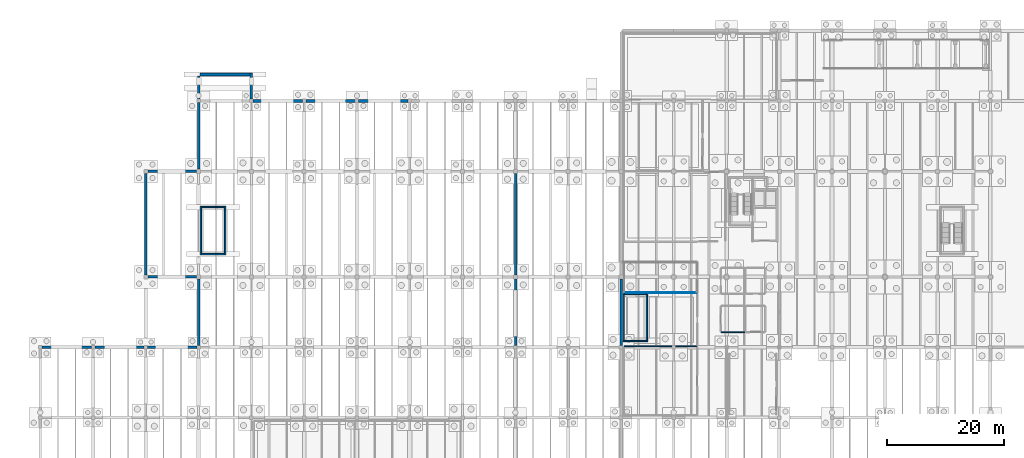
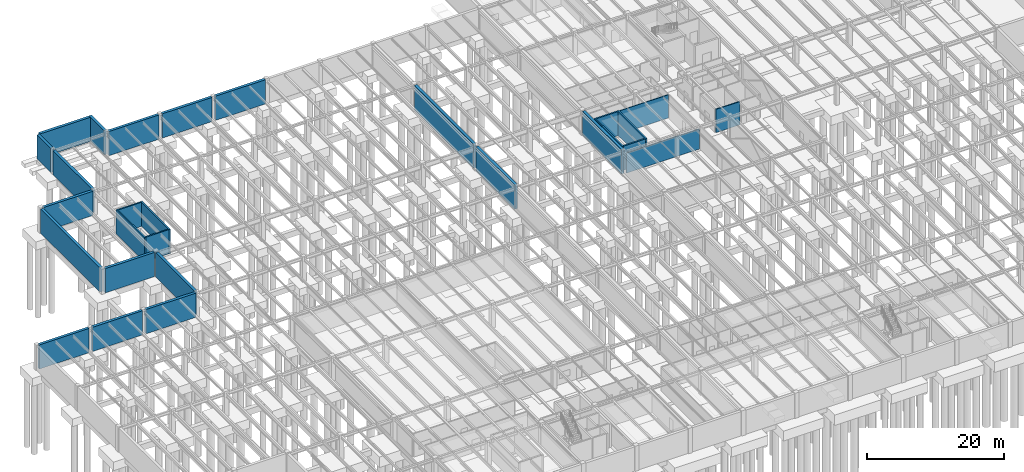
# One storey, part 31 of 40: 28 walls.
"""IFC4 building model written with IfcOpenShell, lengths in metres."""

import ifcopenshell
import ifcopenshell.guid

model = None  # the IFC model being written
_history = None  # IfcOwnerHistory: only IFC2X3 demands one
_inside = {}  # id of a spatial element -> (the spatial element, [elements in it])
_under = {}  # id of a project, library or spatial element -> (it, [spatial elements below it])
_declared = {}  # id of a project -> (the project, [libraries it declares])
_typed = {}  # id of a type object -> (the type object, [elements of that type])
_made_of = {}  # id of a material, layer set ... -> (it, [elements and type objects made of it])


def new_model(schema):
    """Start an empty IFC model of exactly this schema.

    Asked for "IFC4X3", IfcOpenShell would pick the latest addendum, in which some entities
    have other attributes; the version numbers below select the first issue.
    IFC2X3 requires an IfcOwnerHistory on every rooted entity: one is made here for all.
    """
    global model, _history
    if schema == "IFC4X3":
        model = ifcopenshell.file(schema_version=(4, 3, 0, 0))
    else:
        model = ifcopenshell.file(schema=schema)
    _inside.clear()
    _under.clear()
    _declared.clear()
    _typed.clear()
    _made_of.clear()
    _history = None
    if model.schema == "IFC2X3":
        org = make("IfcOrganization", Name="unknown")
        user = make(
            "IfcPersonAndOrganization",
            ThePerson=make("IfcPerson", FamilyName="unknown"),
            TheOrganization=org,
        )
        app = make(
            "IfcApplication",
            ApplicationDeveloper=org,
            Version="unknown",
            ApplicationFullName="unknown",
            ApplicationIdentifier="unknown",
        )
        _history = make(
            "IfcOwnerHistory",
            OwningUser=user,
            OwningApplication=app,
            ChangeAction="ADDED",
            CreationDate=0,
        )
    return model


def make(cls, **values):
    """One entity of the class cls with the attributes given. An attribute that is None is left unset."""
    return model.create_entity(
        cls, **{name: value for name, value in values.items() if value is not None}
    )


def rooted(cls, **values):
    """An entity with a GlobalId (a new one), such as an element, a storey or a relation."""
    return make(cls, GlobalId=ifcopenshell.guid.new(), OwnerHistory=_history, **values)


def si_unit(unit_type, name, prefix=None):
    """IfcSIUnit, for example si_unit("LENGTHUNIT", "METRE", prefix="MILLI")."""
    return make("IfcSIUnit", UnitType=unit_type, Prefix=prefix, Name=name)


def assignment(units):
    """IfcUnitAssignment: the units of a project."""
    return None if units is None else make("IfcUnitAssignment", Units=units)


def point(xyz):
    """IfcCartesianPoint."""
    return None if xyz is None else make("IfcCartesianPoint", Coordinates=xyz)


def direction(xyz):
    """IfcDirection."""
    return None if xyz is None else make("IfcDirection", DirectionRatios=xyz)


def frame(location, z_axis=None, x_axis=None):
    """IfcAxis2Placement3D, a coordinate frame: its origin and axes. An axis left out is left unset."""
    return make(
        "IfcAxis2Placement3D",
        Location=point(location),
        Axis=direction(z_axis),
        RefDirection=direction(x_axis),
    )


def frame_2d(location, x_axis=None):
    """IfcAxis2Placement2D, a coordinate frame in the plane: its origin and x axis."""
    return make(
        "IfcAxis2Placement2D", Location=point(location), RefDirection=direction(x_axis)
    )


def origin():
    """The frame at (0, 0, 0) with its axes left unset."""
    return frame((0.0, 0.0, 0.0))


def place(relative_to, where):
    """IfcLocalPlacement: puts the frame where relative to a parent placement (None: the world)."""
    return make(
        "IfcLocalPlacement", PlacementRelTo=relative_to, RelativePlacement=where
    )


def context(
    kind, dimensions, precision=None, world=None, true_north=None, identifier=None
):
    """IfcGeometricRepresentationContext, for example the 3D "Model" context."""
    return make(
        "IfcGeometricRepresentationContext",
        ContextIdentifier=identifier,
        ContextType=kind,
        CoordinateSpaceDimension=dimensions,
        Precision=precision,
        WorldCoordinateSystem=world,
        TrueNorth=true_north,
    )


def subcontext(parent, identifier, kind, view, scale=None):
    """IfcGeometricRepresentationSubContext, for example "Body" below "Model"."""
    return make(
        "IfcGeometricRepresentationSubContext",
        ContextIdentifier=identifier,
        ContextType=kind,
        ParentContext=parent,
        TargetScale=scale,
        TargetView=view,
    )


def project(units=None, contexts=None):
    """IfcProject with its units and contexts."""
    return rooted(
        "IfcProject",
        Name="project",
        RepresentationContexts=contexts,
        UnitsInContext=assignment(units),
    )


def spatial(cls, under=None, at=None, **own):
    """A site, building, storey or space (cls), placed at a placement, below another one or the project."""
    s = rooted(cls, ObjectPlacement=at, **own)
    if under is not None:
        _under.setdefault(under.id(), (under, []))[1].append(s)
    return s


def profile(cls, at=None, kind="AREA", **sizes):
    """A parametric profile (cls). Its sizes go by their IFC names, for example OverallWidth=200.0."""
    return make(cls, ProfileType=kind, Position=at, **sizes)


def rectangle(**sizes):
    """IfcRectangleProfileDef."""
    return profile("IfcRectangleProfileDef", **sizes)


def extrude(swept, where, along, depth):
    """IfcExtrudedAreaSolid: the profile swept, set in the frame where, extruded along a direction by depth."""
    return make(
        "IfcExtrudedAreaSolid",
        SweptArea=swept,
        Position=where,
        ExtrudedDirection=direction(along),
        Depth=depth,
    )


def shape(context_of_items, identifier, shape_type, items):
    """IfcShapeRepresentation: the items that make up one representation, for example the "Body"."""
    return make(
        "IfcShapeRepresentation",
        ContextOfItems=context_of_items,
        RepresentationIdentifier=identifier,
        RepresentationType=shape_type,
        Items=items,
    )


def material(Name=None, Category=None):
    """IfcMaterial."""
    return make("IfcMaterial", Name=Name, Category=Category)


def layer(
    of_material, thickness, ventilated=None, Name=None, Category=None, Priority=None
):
    """IfcMaterialLayer: one layer of a wall or slab, of a material (None: an air gap)."""
    return make(
        "IfcMaterialLayer",
        Material=of_material,
        LayerThickness=thickness,
        IsVentilated=ventilated,
        Name=Name,
        Category=Category,
        Priority=Priority,
    )


def layer_set(layers, Name=None):
    """IfcMaterialLayerSet."""
    return make("IfcMaterialLayerSet", MaterialLayers=layers, LayerSetName=Name)


def made_of(thing, what):
    """Note that an element or type object is made of a material, layer set ...; save() writes the relation."""
    if what is not None:
        _made_of.setdefault(what.id(), (what, []))[1].append(thing)
    return thing


def type_object(cls, material=None, **own):
    """A type object (cls), such as IfcWallType, which elements share."""
    return made_of(rooted(cls, **own), material)


def element(
    cls,
    number,
    at=None,
    inside=None,
    cuts=None,
    type_object=None,
    material=None,
    context=None,
    identifier="Body",
    shape_type=None,
    held_by="IfcProductDefinitionShape",
    body=None,
    shapes=None,
    **own,
):
    """One element of the class cls, such as IfcWall. Its Tag is "e" and its number.

    at: its placement. inside: the storey or other place that contains it. cuts: it is an
    opening in that element (IfcRelVoidsElement). A single representation is given by context,
    identifier, shape_type and body (its items); several are given by shapes. held_by: the class
    of the entity that holds the representations. save() writes the other relations.
    """
    e = rooted(cls, Tag="e%d" % number, ObjectPlacement=at, **own)
    if body is not None:
        shapes = [shape(context, identifier, shape_type, body)]
    if shapes is not None:
        e.Representation = make(held_by, Representations=shapes)
    if inside is not None:
        _inside.setdefault(inside.id(), (inside, []))[1].append(e)
    if cuts is not None:
        rooted(
            "IfcRelVoidsElement", RelatingBuildingElement=cuts, RelatedOpeningElement=e
        )
    if type_object is not None:
        _typed.setdefault(type_object.id(), (type_object, []))[1].append(e)
    return made_of(e, material)


def aggregate(whole, parts):
    """IfcRelAggregates: a whole, such as a stair, and the parts it consists of."""
    return rooted("IfcRelAggregates", RelatingObject=whole, RelatedObjects=parts)


def save(model, path):
    """Write the relations noted so far, then the file.

    IfcRelAggregates (storeys below a building ...), IfcRelContainedInSpatialStructure (elements
    in a storey), IfcRelDefinesByType, IfcRelAssociatesMaterial and IfcRelDeclares: one each for
    every whole, place, type object, material and project.
    """
    for whole, parts in _under.values():
        aggregate(whole, parts)
    for where, things in _inside.values():
        rooted(
            "IfcRelContainedInSpatialStructure",
            RelatedElements=things,
            RelatingStructure=where,
        )
    for kind, things in _typed.values():
        rooted("IfcRelDefinesByType", RelatedObjects=things, RelatingType=kind)
    for what, things in _made_of.values():
        rooted("IfcRelAssociatesMaterial", RelatedObjects=things, RelatingMaterial=what)
    for by, libraries in _declared.values():
        rooted("IfcRelDeclares", RelatingContext=by, RelatedDefinitions=libraries)
    model.write(path)


model = new_model("IFC4")

# Units and contexts
model_context = context("Model", 3, precision=1e-05, world=origin(), true_north=direction((0.0, 1.0)))
body_context = subcontext(model_context, "Body", "Model", "MODEL_VIEW")
ifc_project = project(units=[si_unit("LENGTHUNIT", "METRE"), si_unit("AREAUNIT", "SQUARE_METRE"), si_unit("VOLUMEUNIT", "CUBIC_METRE"), si_unit("PLANEANGLEUNIT", "RADIAN"), si_unit("MASSUNIT", "GRAM", prefix="KILO")], contexts=[model_context])

# Site, building, storey
site_placement = place(None, origin())
site = spatial("IfcSite", under=ifc_project, at=site_placement, CompositionType="ELEMENT")
building_placement = place(site_placement, origin())
building = spatial("IfcBuilding", under=site, at=building_placement, Name="Montelvaro Courts of Justice", CompositionType="ELEMENT")
storey_placement = place(building_placement, frame((0.0, 0.0, -4.5)))
storey = spatial("IfcBuildingStorey", under=building, at=storey_placement, Name="B01", CompositionType="ELEMENT", Elevation=-4.5)

# Walls
ifc_material_1 = material(Name="Fire-rated gypsum and steel stud", Category="steel")
ifc_layer_1 = layer(ifc_material_1, 0.179931640625)
ifc_layer_set_1 = layer_set([ifc_layer_1], Name="Fire-rated gypsum and steel stud")
wall_type_1 = type_object("IfcWallType", Name="CorridorFireWall_180", PredefinedType="PARTITIONING", material=ifc_layer_set_1)
wall_1_placement = place(storey_placement, frame((111.919921875, 66.199951171875, 0.0), z_axis=(0.0, 0.0, 1.0), x_axis=(-1.0, 0.0, 0.0)))
element("IfcWall", 1, at=wall_1_placement, inside=storey, type_object=wall_type_1, Name="Interior Partition IW-02 (B01)", PredefinedType="PARTITIONING", context=body_context, shape_type="SweptSolid", body=[
    extrude(rectangle(XDim=12.33984375, YDim=0.179931640625, at=frame_2d((6.169921875, 0.0))), origin(), (0.0, 0.0, 1.0), 3.594970703125),
])
wall_2_placement = place(storey_placement, frame((120.1201171875, 68.60009765625, 0.0), z_axis=(0.0, 0.0, 1.0), x_axis=(-1.0, 0.0, 0.0)))
element("IfcWall", 2, at=wall_2_placement, inside=storey, type_object=wall_type_1, Name="Interior Partition IW-02 (B01)", PredefinedType="PARTITIONING", context=body_context, shape_type="SweptSolid", body=[
    extrude(rectangle(XDim=4.0400390625, YDim=0.179931640625, at=frame_2d((2.02001953125, 0.0))), origin(), (0.0, 0.0, 1.0), 4.139892578125),
])
ifc_material_2 = material(Name="Gypsum board on metal stud")
ifc_layer_2 = layer(ifc_material_2, 0.1201171875)
ifc_layer_set_2 = layer_set([ifc_layer_2], Name="Gypsum board on metal stud")
wall_type_2 = type_object("IfcWallType", Name="OfficePartition_120", PredefinedType="PARTITIONING", material=ifc_layer_set_2)
wall_3_placement = place(storey_placement, frame((111.919921875, 75.300048828125, 0.0), z_axis=(0.0, 0.0, 1.0), x_axis=(-1.0, 0.0, 0.0)))
element("IfcWall", 3, at=wall_3_placement, inside=storey, type_object=wall_type_2, Name="Interior Partition IW-05 (B01)", PredefinedType="PARTITIONING", context=body_context, shape_type="SweptSolid", body=[
    extrude(rectangle(XDim=12.64990234375, YDim=0.1201171875, at=frame_2d((6.324951171875, 0.0))), origin(), (0.0, 0.0, 1.0), 4.139892578125),
])
ifc_material_3 = material(Name="Concrete C35/45", Category="concrete")
ifc_layer_3 = layer(ifc_material_3, 0.449951171875)
ifc_layer_set_3 = layer_set([ifc_layer_3], Name="Concrete C35/45")
wall_type_3 = type_object("IfcWallType", Name="RetainingWall_450", PredefinedType="USERDEFINED", material=ifc_layer_set_3)
wall_4_placement = place(storey_placement, frame((99.050048828125, 77.654052734375, 0.0), z_axis=(0.0, 0.0, 1.0), x_axis=(0.0, -1.0, 0.0)))
element("IfcWall", 4, at=wall_4_placement, inside=storey, type_object=wall_type_3, Name="Basement Plinth Retaining Wall RW-01-029", ObjectType="RETAININGWALL", PredefinedType="USERDEFINED", context=body_context, shape_type="SweptSolid", body=[
    extrude(rectangle(XDim=11.358154296875, YDim=0.449951171875, at=frame_2d((5.67919921875, 0.0))), origin(), (0.0, 0.0, 1.0), 4.320068359375),
])
wall_5_placement = place(storey_placement, frame((81.050048828125, 95.65380859375, 0.0), z_axis=(0.0, 0.0, 1.0), x_axis=(0.0, -1.0, 0.0)))
element("IfcWall", 5, at=wall_5_placement, inside=storey, type_object=wall_type_3, Name="Basement Plinth Retaining Wall RW-01-040", ObjectType="RETAININGWALL", PredefinedType="USERDEFINED", context=body_context, shape_type="SweptSolid", body=[
    extrude(rectangle(XDim=17.307861328125, YDim=0.449951171875, at=frame_2d((8.65380859375, 0.0))), origin(), (0.0, 0.0, 1.0), 4.320068359375),
])
wall_6_placement = place(storey_placement, frame((81.050048828125, 77.654052734375, 0.0), z_axis=(0.0, 0.0, 1.0), x_axis=(0.0, -1.0, 0.0)))
element("IfcWall", 6, at=wall_6_placement, inside=storey, type_object=wall_type_3, Name="Basement Plinth Retaining Wall RW-01-041", ObjectType="RETAININGWALL", PredefinedType="USERDEFINED", context=body_context, shape_type="SweptSolid", body=[
    extrude(rectangle(XDim=11.358154296875, YDim=0.449951171875, at=frame_2d((5.67919921875, 0.0))), origin(), (0.0, 0.0, 1.0), 4.320068359375),
])
for number, where, z_axis, x_axis, name in (
    (7, (62.7041015625, 108.0, 0.0), (0.0, 0.0, 1.0), (-1.0, 0.0, 0.0), "Basement Plinth Retaining Wall RW-01-060"),
    (8, (53.7041015625, 108.0, 0.0), (0.0, 0.0, 1.0), (-1.0, 0.0, 0.0), "Basement Plinth Retaining Wall RW-01-061"),
    (9, (44.7041015625, 108.0, 0.0), (0.0, 0.0, 1.0), (-1.0, 0.0, 0.0), "Basement Plinth Retaining Wall RW-01-062"),
):
    element("IfcWall", number, at=place(storey_placement, frame(where, z_axis=z_axis, x_axis=x_axis)), inside=storey, type_object=wall_type_3, Name=name, ObjectType="RETAININGWALL", PredefinedType="USERDEFINED", context=body_context, shape_type="SweptSolid", body=[
        extrude(rectangle(XDim=8.408203125, YDim=0.449951171875, at=frame_2d((4.2041015625, 0.0))), origin(), (0.0, 0.0, 1.0), 4.320068359375),
    ])
wall_7_placement = place(storey_placement, frame((36.0, 108.316162109375, 0.0), z_axis=(0.0, 0.0, 1.0), x_axis=(0.0, 1.0, 0.0)))
element("IfcWall", 10, at=wall_7_placement, inside=storey, type_object=wall_type_3, Name="Basement Plinth Retaining Wall RW-01-063", ObjectType="RETAININGWALL", PredefinedType="USERDEFINED", context=body_context, shape_type="SweptSolid", body=[
    extrude(rectangle(XDim=4.40869140625, YDim=0.449951171875, at=frame_2d((2.204345703125, 0.0))), origin(), (0.0, 0.0, 1.0), 4.320068359375),
])
wall_8_placement = place(storey_placement, frame((35.77490234375, 112.5, 0.0), z_axis=(0.0, 0.0, 1.0), x_axis=(-1.0, 0.0, 0.0)))
element("IfcWall", 11, at=wall_8_placement, inside=storey, type_object=wall_type_3, Name="Basement Plinth Retaining Wall RW-01-064", ObjectType="RETAININGWALL", PredefinedType="USERDEFINED", context=body_context, shape_type="SweptSolid", body=[
    extrude(rectangle(XDim=8.5498046875, YDim=0.449951171875, at=frame_2d((4.27490234375, 0.0))), origin(), (0.0, 0.0, 1.0), 4.320068359375),
])
wall_9_placement = place(storey_placement, frame((27.0, 112.27490234375, 0.0), z_axis=(0.0, 0.0, 1.0), x_axis=(0.0, -1.0, 0.0)))
element("IfcWall", 12, at=wall_9_placement, inside=storey, type_object=wall_type_3, Name="Basement Plinth Retaining Wall RW-01-065", ObjectType="RETAININGWALL", PredefinedType="USERDEFINED", context=body_context, shape_type="SweptSolid", body=[
    extrude(rectangle(XDim=3.958740234375, YDim=0.449951171875, at=frame_2d((1.9794921875, 0.0))), origin(), (0.0, 0.0, 1.0), 4.320068359375),
])
wall_10_placement = place(storey_placement, frame((27.0, 107.703857421875, 0.0), z_axis=(0.0, 0.0, 1.0), x_axis=(0.0, -1.0, 0.0)))
element("IfcWall", 13, at=wall_10_placement, inside=storey, type_object=wall_type_3, Name="Basement Plinth Retaining Wall RW-01-066", ObjectType="RETAININGWALL", PredefinedType="USERDEFINED", context=body_context, shape_type="SweptSolid", body=[
    extrude(rectangle(XDim=11.347900390625, YDim=0.449951171875, at=frame_2d((5.673828125, 0.0))), origin(), (0.0, 0.0, 1.0), 4.320068359375),
])
wall_11_placement = place(storey_placement, frame((26.64404296875, 96.0, 0.0), z_axis=(0.0, 0.0, 1.0), x_axis=(-1.0, 0.0, 0.0)))
element("IfcWall", 14, at=wall_11_placement, inside=storey, type_object=wall_type_3, Name="Basement Plinth Retaining Wall RW-01-067", ObjectType="RETAININGWALL", PredefinedType="USERDEFINED", context=body_context, shape_type="SweptSolid", body=[
    extrude(rectangle(XDim=8.2978515625, YDim=0.449951171875, at=frame_2d((4.14892578125, 0.0))), origin(), (0.0, 0.0, 1.0), 4.320068359375),
])
wall_12_placement = place(storey_placement, frame((18.0, 95.65380859375, 0.0), z_axis=(0.0, 0.0, 1.0), x_axis=(0.0, -1.0, 0.0)))
element("IfcWall", 15, at=wall_12_placement, inside=storey, type_object=wall_type_3, Name="Basement Plinth Retaining Wall RW-01-068", ObjectType="RETAININGWALL", PredefinedType="USERDEFINED", context=body_context, shape_type="SweptSolid", body=[
    extrude(rectangle(XDim=17.3076171875, YDim=0.449951171875, at=frame_2d((8.65380859375, 0.0))), origin(), (0.0, 0.0, 1.0), 4.320068359375),
])
wall_13_placement = place(storey_placement, frame((18.34619140625, 78.0, 0.0), z_axis=(0.0, 0.0, 1.0), x_axis=(1.0, 0.0, 0.0)))
element("IfcWall", 16, at=wall_13_placement, inside=storey, type_object=wall_type_3, Name="Basement Plinth Retaining Wall RW-01-069", ObjectType="RETAININGWALL", PredefinedType="USERDEFINED", context=body_context, shape_type="SweptSolid", body=[
    extrude(rectangle(XDim=8.307861328125, YDim=0.449951171875, at=frame_2d((4.15380859375, 0.0))), origin(), (0.0, 0.0, 1.0), 4.320068359375),
])
wall_14_placement = place(storey_placement, frame((27.0, 77.6337890625, 0.0), z_axis=(0.0, 0.0, 1.0), x_axis=(0.0, -1.0, 0.0)))
element("IfcWall", 17, at=wall_14_placement, inside=storey, type_object=wall_type_3, Name="Basement Plinth Retaining Wall RW-01-070", ObjectType="RETAININGWALL", PredefinedType="USERDEFINED", context=body_context, shape_type="SweptSolid", body=[
    extrude(rectangle(XDim=11.317626953125, YDim=0.449951171875, at=frame_2d((5.65869140625, 0.0))), origin(), (0.0, 0.0, 1.0), 4.320068359375),
])
wall_15_placement = place(storey_placement, frame((26.703857421875, 66.0, 0.0), z_axis=(0.0, 0.0, 1.0), x_axis=(-1.0, 0.0, 0.0)))
element("IfcWall", 18, at=wall_15_placement, inside=storey, type_object=wall_type_3, Name="Basement Plinth Retaining Wall RW-01-071", ObjectType="RETAININGWALL", PredefinedType="USERDEFINED", context=body_context, shape_type="SweptSolid", body=[
    extrude(rectangle(XDim=8.407958984375, YDim=0.449951171875, at=frame_2d((4.2041015625, 0.0))), origin(), (0.0, 0.0, 1.0), 4.320068359375),
])
wall_16_placement = place(storey_placement, frame((17.7041015625, 66.0, 0.0), z_axis=(0.0, 0.0, 1.0), x_axis=(-1.0, 0.0, 0.0)))
element("IfcWall", 19, at=wall_16_placement, inside=storey, type_object=wall_type_3, Name="Basement Plinth Retaining Wall RW-01-072", ObjectType="RETAININGWALL", PredefinedType="USERDEFINED", context=body_context, shape_type="SweptSolid", body=[
    extrude(rectangle(XDim=8.408203125, YDim=0.449951171875, at=frame_2d((4.2041015625, 0.0))), origin(), (0.0, 0.0, 1.0), 4.320068359375),
])
wall_17_placement = place(storey_placement, frame((8.7041015625, 66.0, 0.0), z_axis=(0.0, 0.0, 1.0), x_axis=(-1.0, 0.0, 0.0)))
element("IfcWall", 20, at=wall_17_placement, inside=storey, type_object=wall_type_3, Name="Basement Plinth Retaining Wall RW-01-073", ObjectType="RETAININGWALL", PredefinedType="USERDEFINED", context=body_context, shape_type="SweptSolid", body=[
    extrude(rectangle(XDim=8.407958984375, YDim=0.449951171875, at=frame_2d((4.2041015625, 0.0))), origin(), (0.0, 0.0, 1.0), 4.320068359375),
])
ifc_layer_4 = layer(ifc_material_3, 0.239990234375)
ifc_layer_set_4 = layer_set([ifc_layer_4], Name="Concrete C35/45")
wall_type_4 = type_object("IfcWallType", Name="ShaftWall_240", PredefinedType="SHEAR", material=ifc_layer_set_4)
for number, where, z_axis, x_axis, name in (
    (21, (99.47998046875, 66.9599609375, 0.0), (0.0, 0.0, 1.0), (0.0, 1.0, 0.0), "Protected Stair Structural Wall ST-K4-W (B01)"),
    (22, (103.419921875, 66.9599609375, 0.0), (0.0, 0.0, 1.0), (0.0, 1.0, 0.0), "Protected Stair Structural Wall ST-K4-E (B01)"),
):
    element("IfcWall", number, at=place(storey_placement, frame(where, z_axis=z_axis, x_axis=x_axis)), inside=storey, type_object=wall_type_4, Name=name, PredefinedType="SHEAR", context=body_context, shape_type="SweptSolid", body=[
        extrude(rectangle(XDim=8.280029296875, YDim=0.239990234375, at=frame_2d((4.14013671875, 0.0))), origin(), (0.0, 0.0, 1.0), 4.31005859375),
    ])
for number, where, z_axis, x_axis, name in (
    (23, (99.60009765625, 67.080078125, 0.0), (0.0, 0.0, 1.0), (1.0, 0.0, 0.0), "Protected Stair Structural Wall ST-K4-S (B01)"),
    (24, (99.60009765625, 75.1201171875, 0.0), (0.0, 0.0, 1.0), (1.0, 0.0, 0.0), "Protected Stair Structural Wall ST-K4-N (B01)"),
):
    element("IfcWall", number, at=place(storey_placement, frame(where, z_axis=z_axis, x_axis=x_axis)), inside=storey, type_object=wall_type_4, Name=name, PredefinedType="SHEAR", context=body_context, shape_type="SweptSolid", body=[
        extrude(rectangle(XDim=3.699951171875, YDim=0.239990234375, at=frame_2d((1.85009765625, 0.0))), origin(), (0.0, 0.0, 1.0), 4.31005859375),
    ])
for number, where, z_axis, x_axis, name in (
    (25, (27.3798828125, 81.760009765625, 0.0), (0.0, 0.0, 1.0), (0.0, 1.0, 0.0), "Protected Stair Structural Wall ST-P1-W (B01)"),
    (26, (31.52001953125, 81.760009765625, 0.0), (0.0, 0.0, 1.0), (0.0, 1.0, 0.0), "Protected Stair Structural Wall ST-P1-E (B01)"),
):
    element("IfcWall", number, at=place(storey_placement, frame(where, z_axis=z_axis, x_axis=x_axis)), inside=storey, type_object=wall_type_4, Name=name, PredefinedType="SHEAR", context=body_context, shape_type="SweptSolid", body=[
        extrude(rectangle(XDim=8.280029296875, YDim=0.239990234375, at=frame_2d((4.14013671875, 0.0))), origin(), (0.0, 0.0, 1.0), 4.31005859375),
    ])
for number, where, z_axis, x_axis, name in (
    (27, (27.5, 81.8798828125, 0.0), (0.0, 0.0, 1.0), (1.0, 0.0, 0.0), "Protected Stair Structural Wall ST-P1-S (B01)"),
    (28, (27.5, 89.919921875, 0.0), (0.0, 0.0, 1.0), (1.0, 0.0, 0.0), "Protected Stair Structural Wall ST-P1-N (B01)"),
):
    element("IfcWall", number, at=place(storey_placement, frame(where, z_axis=z_axis, x_axis=x_axis)), inside=storey, type_object=wall_type_4, Name=name, PredefinedType="SHEAR", context=body_context, shape_type="SweptSolid", body=[
        extrude(rectangle(XDim=3.89990234375, YDim=0.239990234375, at=frame_2d((1.949951171875, 0.0))), origin(), (0.0, 0.0, 1.0), 4.31005859375),
    ])

save(model, "model.ifc")
